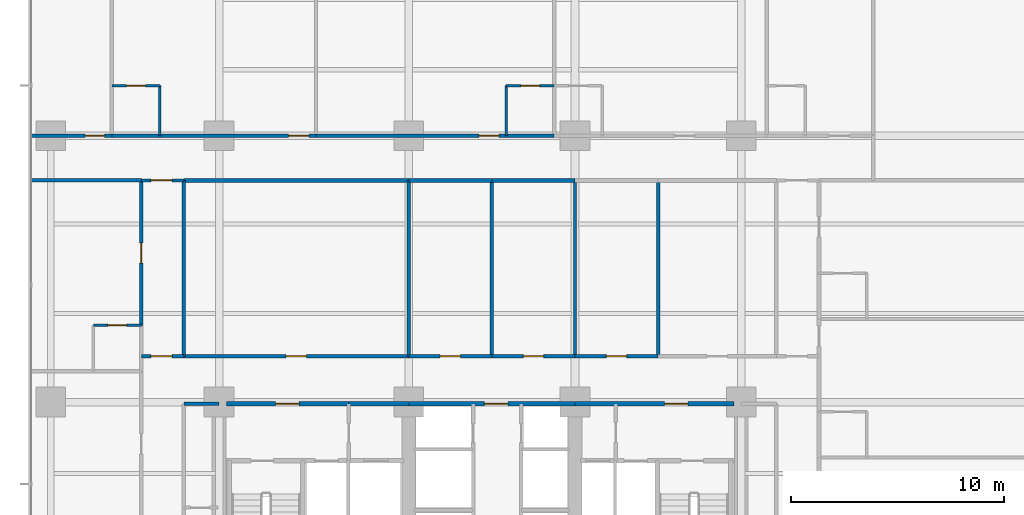
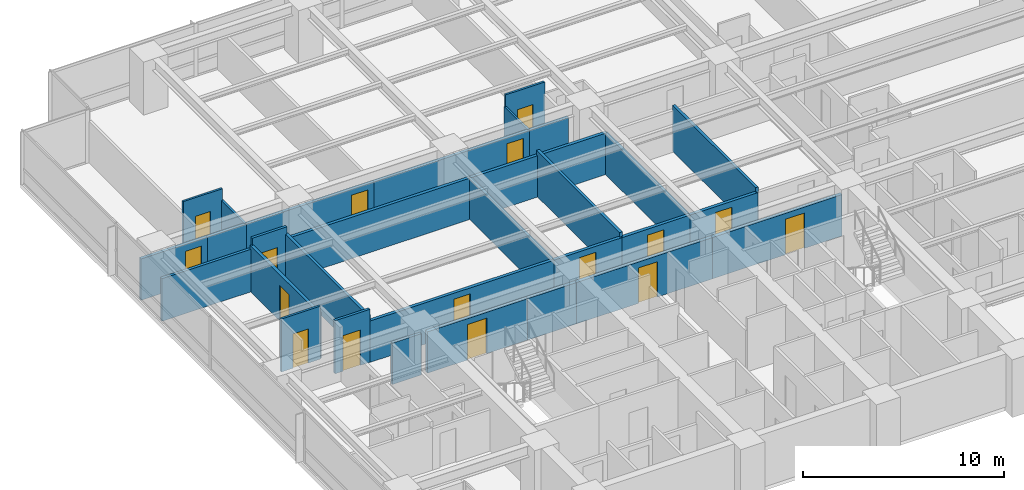
# One storey, part 9 of 16: 31 walls, 16 doors, 16 openings.
"""IFC4 building model written with IfcOpenShell, lengths in metres."""

from ifc_helpers import new_model, si_unit, direction, frame, frame_2d, origin, place, context, subcontext, project, spatial, rectangle, extrude, material, layer, layer_set, type_object, element, fill, save


model = new_model("IFC4")

# Units and contexts
model_context = context("Model", 3, precision=1e-05, world=origin(), true_north=direction((0.0, 1.0)))
body_context = subcontext(model_context, "Body", "Model", "MODEL_VIEW")
ifc_project = project(units=[si_unit("LENGTHUNIT", "METRE"), si_unit("AREAUNIT", "SQUARE_METRE"), si_unit("VOLUMEUNIT", "CUBIC_METRE"), si_unit("PLANEANGLEUNIT", "RADIAN"), si_unit("MASSUNIT", "GRAM", prefix="KILO")], contexts=[model_context])

# Site, building, storey
site_placement = place(None, origin())
site = spatial("IfcSite", under=ifc_project, at=site_placement, CompositionType="ELEMENT")
building_placement = place(site_placement, origin())
building = spatial("IfcBuilding", under=site, at=building_placement, Name="Qalmaran Belvedere Hotel", CompositionType="ELEMENT")
storey_placement = place(building_placement, frame((0.0, 0.0, 50.89990234375)))
storey = spatial("IfcBuildingStorey", under=building, at=storey_placement, Name="L12", CompositionType="ELEMENT", Elevation=50.89990234375)

# Wall, opening, door
ifc_material_1 = material(Name="Moisture-Resistant Gypsum")
ifc_layer_1 = layer(ifc_material_1, 0.1201171875, Name="Moisture-Resistant Gypsum")
ifc_layer_set_1 = layer_set([ifc_layer_1], Name="Moisture-Resistant Gypsum")
wall_type_1 = type_object("IfcWallType", Name="WL-INT-120-BATH", PredefinedType="PARTITIONING", material=ifc_layer_set_1)
wall_1_placement = place(storey_placement, frame((15.27001953125, 35.35009765625, 0.0), z_axis=(0.0, 0.0, 1.0), x_axis=(1.0, 0.0, 0.0)))
wall_1 = element("IfcWall", 1, at=wall_1_placement, inside=storey, type_object=wall_type_1, Name="L12 Partition WL-L12-NBN00", PredefinedType="PARTITIONING", context=body_context, shape_type="SweptSolid", body=[
    extrude(rectangle(XDim=2.25, YDim=0.1201171875, at=frame_2d((1.125, 0.0))), origin(), (0.0, 0.0, 1.0), 3.22021484375),
])
opening_1_placement = place(wall_1_placement, frame((1.56494140625, 0.0, 0.0), z_axis=(0.0, 0.0, 1.0), x_axis=(-1.0, 0.0, 0.0)))
opening_1 = element("IfcOpeningElement", 2, at=opening_1_placement, cuts=wall_1, Name="Opening D-BATH", PredefinedType="OPENING", context=body_context, shape_type="SweptSolid", body=[
    extrude(rectangle(XDim=0.8798828125, YDim=2.080078125, at=frame_2d((0.43994140625, 1.0400390625))), frame((0.0, 0.070068359375, 0.0), z_axis=(0.0, -1.0, 0.0), x_axis=(1.0, 0.0, 0.0)), (0.0, 0.0, 1.0), 0.14013671875),
])
ifc_material_2 = material(Name="Engineered Oak Veneer")
door_type_1 = type_object("IfcDoorType", Name="DR-INT-BATH-880X2080", OperationType="NOTDEFINED", PredefinedType="DOOR", material=ifc_material_2)
door_1_placement = place(opening_1_placement, origin())
door_1 = element("IfcDoor", 3, at=door_1_placement, inside=storey, type_object=door_type_1, Name="L12 Ensuite Bathroom Door N01", OperationType="SINGLE_SWING_LEFT", OverallHeight=2.080078125, OverallWidth=0.8798828125, PredefinedType="DOOR", context=body_context, shape_type="SweptSolid", body=[
    extrude(rectangle(XDim=0.8798828125, YDim=2.080078125, at=frame_2d((0.43994140625, 1.0400390625))), frame((0.0, 0.02490234375, 0.0), z_axis=(0.0, -1.0, 0.0), x_axis=(1.0, 0.0, 0.0)), (0.0, 0.0, 1.0), 0.050048828125),
])
fill(opening_1, door_1)

# Wall
wall_2_placement = place(storey_placement, frame((17.52001953125, 33.0, 0.0), z_axis=(0.0, 0.0, 1.0), x_axis=(0.0, 1.0, 0.0)))
element("IfcWall", 4, at=wall_2_placement, inside=storey, type_object=wall_type_1, Name="L12 Partition WL-L12-NBS00", PredefinedType="PARTITIONING", context=body_context, shape_type="SweptSolid", body=[
    extrude(rectangle(XDim=2.35009765625, YDim=0.1201171875, at=frame_2d((1.175048828125, 0.0))), origin(), (0.0, 0.0, 1.0), 2.510009765625),
])

# Wall, opening, door
wall_3_placement = place(storey_placement, frame((33.773193359375, 35.35009765625, 0.0), z_axis=(0.0, 0.0, 1.0), x_axis=(1.0, 0.0, 0.0)))
wall_3 = element("IfcWall", 5, at=wall_3_placement, inside=storey, type_object=wall_type_1, Name="L12 Partition WL-L12-NBN01", PredefinedType="PARTITIONING", context=body_context, shape_type="SweptSolid", body=[
    extrude(rectangle(XDim=2.25, YDim=0.1201171875, at=frame_2d((1.125, 0.0))), origin(), (0.0, 0.0, 1.0), 3.22021484375),
])
opening_2_placement = place(wall_3_placement, frame((1.56494140625, 0.0, 0.0), z_axis=(0.0, 0.0, 1.0), x_axis=(-1.0, 0.0, 0.0)))
opening_2 = element("IfcOpeningElement", 6, at=opening_2_placement, cuts=wall_3, Name="Opening D-BATH", PredefinedType="OPENING", context=body_context, shape_type="SweptSolid", body=[
    extrude(rectangle(XDim=0.8798828125, YDim=2.080078125, at=frame_2d((0.43994140625, 1.0400390625))), frame((0.0, 0.070068359375, 0.0), z_axis=(0.0, -1.0, 0.0), x_axis=(1.0, 0.0, 0.0)), (0.0, 0.0, 1.0), 0.14013671875),
])
door_2_placement = place(opening_2_placement, origin())
door_2 = element("IfcDoor", 7, at=door_2_placement, inside=storey, type_object=door_type_1, Name="L12 Ensuite Bathroom Door N02", OperationType="SINGLE_SWING_LEFT", OverallHeight=2.080078125, OverallWidth=0.8798828125, PredefinedType="DOOR", context=body_context, shape_type="SweptSolid", body=[
    extrude(rectangle(XDim=0.8798828125, YDim=2.080078125, at=frame_2d((0.43994140625, 1.0400390625))), frame((0.0, 0.02490234375, 0.0), z_axis=(0.0, -1.0, 0.0), x_axis=(1.0, 0.0, 0.0)), (0.0, 0.0, 1.0), 0.050048828125),
])
fill(opening_2, door_2)

# Wall
wall_4_placement = place(storey_placement, frame((33.773193359375, 33.0, 0.0), z_axis=(0.0, 0.0, 1.0), x_axis=(0.0, 1.0, 0.0)))
element("IfcWall", 8, at=wall_4_placement, inside=storey, type_object=wall_type_1, Name="L12 Partition WL-L12-NBS01", PredefinedType="PARTITIONING", context=body_context, shape_type="SweptSolid", body=[
    extrude(rectangle(XDim=2.35009765625, YDim=0.1201171875, at=frame_2d((1.175048828125, 0.0))), origin(), (0.0, 0.0, 1.0), 2.510009765625),
])

# Wall, opening, door
wall_5_placement = place(storey_placement, frame((14.39990234375, 24.10009765625, 0.0), z_axis=(0.0, 0.0, 1.0), x_axis=(1.0, 0.0, 0.0)))
wall_5 = element("IfcWall", 9, at=wall_5_placement, inside=storey, type_object=wall_type_1, Name="L12 Partition WL-L12-WBN01", PredefinedType="PARTITIONING", context=body_context, shape_type="SweptSolid", body=[
    extrude(rectangle(XDim=2.25, YDim=0.1201171875, at=frame_2d((1.125, 0.0))), origin(), (0.0, 0.0, 1.0), 3.22021484375),
])
opening_3_placement = place(wall_5_placement, frame((1.56494140625, 0.0, 0.0), z_axis=(0.0, 0.0, 1.0), x_axis=(-1.0, 0.0, 0.0)))
opening_3 = element("IfcOpeningElement", 10, at=opening_3_placement, cuts=wall_5, Name="Opening D-BATH", PredefinedType="OPENING", context=body_context, shape_type="SweptSolid", body=[
    extrude(rectangle(XDim=0.8798828125, YDim=2.080078125, at=frame_2d((0.43994140625, 1.0400390625))), frame((0.0, 0.070068359375, 0.0), z_axis=(0.0, -1.0, 0.0), x_axis=(1.0, 0.0, 0.0)), (0.0, 0.0, 1.0), 0.14013671875),
])
door_3_placement = place(opening_3_placement, origin())
door_3 = element("IfcDoor", 11, at=door_3_placement, inside=storey, type_object=door_type_1, Name="L12 W Ensuite Door 02", OperationType="SINGLE_SWING_LEFT", OverallHeight=2.080078125, OverallWidth=0.8798828125, PredefinedType="DOOR", context=body_context, shape_type="SweptSolid", body=[
    extrude(rectangle(XDim=0.8798828125, YDim=2.080078125, at=frame_2d((0.43994140625, 1.0400390625))), frame((0.0, 0.02490234375, 0.0), z_axis=(0.0, -1.0, 0.0), x_axis=(1.0, 0.0, 0.0)), (0.0, 0.0, 1.0), 0.050048828125),
])
fill(opening_3, door_3)

ifc_material_3 = material(Name="Gypsum Stud Partition")
ifc_layer_2 = layer(ifc_material_3, 0.14990234375, Name="Gypsum Stud Partition")
ifc_layer_set_2 = layer_set([ifc_layer_2], Name="Gypsum Stud Partition")
wall_type_2 = type_object("IfcWallType", Name="WL-INT-150-EI60", PredefinedType="PARTITIONING", material=ifc_layer_set_2)
wall_6_placement = place(storey_placement, frame((16.64990234375, 22.64990234375, 0.0), z_axis=(0.0, 0.0, 1.0), x_axis=(1.0, 0.0, 0.0)))
wall_6 = element("IfcWall", 12, at=wall_6_placement, inside=storey, type_object=wall_type_2, Name="L12 Partition WL-L12-XCW1", PredefinedType="PARTITIONING", context=body_context, shape_type="SweptSolid", body=[
    extrude(rectangle(XDim=2.0, YDim=0.14990234375, at=frame_2d((1.0, 0.0))), origin(), (0.0, 0.0, 1.0), 3.22021484375),
])
opening_4_placement = place(wall_6_placement, frame((0.449951171875, 0.0, 0.0)))
opening_4 = element("IfcOpeningElement", 13, at=opening_4_placement, cuts=wall_6, Name="Opening FD90B", PredefinedType="OPENING", context=body_context, shape_type="SweptSolid", body=[
    extrude(rectangle(XDim=1.0, YDim=2.14990234375, at=frame_2d((0.5, 1.074951171875))), frame((0.0, 0.0849609375, 0.0), z_axis=(0.0, -1.0, 0.0), x_axis=(1.0, 0.0, 0.0)), (0.0, 0.0, 1.0), 0.169921875),
])
ifc_material_4 = material(Name="Steel S355JR", Category="steel")
door_type_2 = type_object("IfcDoorType", Name="DR-FD90B-1000X2150", OperationType="NOTDEFINED", PredefinedType="DOOR", material=ifc_material_4)
door_4_placement = place(opening_4_placement, origin())
door_4 = element("IfcDoor", 14, at=door_4_placement, inside=storey, type_object=door_type_2, Name="L12 West Corridor Smoke Door S", OperationType="SINGLE_SWING_RIGHT", OverallHeight=2.14990234375, OverallWidth=1.0, PredefinedType="DOOR", context=body_context, shape_type="SweptSolid", body=[
    extrude(rectangle(XDim=1.0, YDim=2.14990234375, at=frame_2d((0.5, 1.074951171875))), frame((0.0, 0.02490234375, 0.0), z_axis=(0.0, -1.0, 0.0), x_axis=(1.0, 0.0, 0.0)), (0.0, 0.0, 1.0), 0.050048828125),
])
fill(opening_4, door_4)

wall_7_placement = place(storey_placement, frame((16.64990234375, 30.89990234375, 0.0), z_axis=(0.0, 0.0, 1.0), x_axis=(1.0, 0.0, 0.0)))
wall_7 = element("IfcWall", 15, at=wall_7_placement, inside=storey, type_object=wall_type_2, Name="L12 Partition WL-L12-XCW2", PredefinedType="PARTITIONING", context=body_context, shape_type="SweptSolid", body=[
    extrude(rectangle(XDim=2.0, YDim=0.14990234375, at=frame_2d((1.0, 0.0))), origin(), (0.0, 0.0, 1.0), 3.22021484375),
])
opening_5_placement = place(wall_7_placement, frame((0.449951171875, 0.0, 0.0)))
opening_5 = element("IfcOpeningElement", 16, at=opening_5_placement, cuts=wall_7, Name="Opening FD90B", PredefinedType="OPENING", context=body_context, shape_type="SweptSolid", body=[
    extrude(rectangle(XDim=1.0, YDim=2.14990234375, at=frame_2d((0.5, 1.074951171875))), frame((0.0, 0.0849609375, 0.0), z_axis=(0.0, -1.0, 0.0), x_axis=(1.0, 0.0, 0.0)), (0.0, 0.0, 1.0), 0.169921875),
])
door_5_placement = place(opening_5_placement, origin())
door_5 = element("IfcDoor", 17, at=door_5_placement, inside=storey, type_object=door_type_2, Name="L12 West Corridor Smoke Door N", OperationType="SINGLE_SWING_LEFT", OverallHeight=2.14990234375, OverallWidth=1.0, PredefinedType="DOOR", context=body_context, shape_type="SweptSolid", body=[
    extrude(rectangle(XDim=1.0, YDim=2.14990234375, at=frame_2d((0.5, 1.074951171875))), frame((0.0, 0.02490234375, 0.0), z_axis=(0.0, -1.0, 0.0), x_axis=(1.0, 0.0, 0.0)), (0.0, 0.0, 1.0), 0.050048828125),
])
fill(opening_5, door_5)

# Walls
ifc_layer_3 = layer(ifc_material_3, 0.159912109375, Name="Gypsum Stud Partition")
ifc_layer_set_3 = layer_set([ifc_layer_3], Name="Gypsum Stud Partition")
wall_type_3 = type_object("IfcWallType", Name="WL-INT-160-EI60", PredefinedType="PARTITIONING", material=ifc_layer_set_3)
wall_8_placement = place(storey_placement, frame((18.64990234375, 20.419921875, 0.0), z_axis=(0.0, 0.0, 1.0), x_axis=(1.0, 0.0, 0.0)))
element("IfcWall", 18, at=wall_8_placement, inside=storey, type_object=wall_type_3, Name="L12 Partition WL-L12-WCLN", PredefinedType="PARTITIONING", context=body_context, shape_type="SweptSolid", body=[
    extrude(rectangle(XDim=1.650146484375, YDim=0.159912109375, at=frame_2d((0.8251953125, 0.0))), origin(), (0.0, 0.0, 1.0), 2.510009765625),
])
wall_9_placement = place(storey_placement, frame((18.64990234375, 22.64990234375, 0.0), z_axis=(0.0, 0.0, 1.0), x_axis=(0.0, 1.0, 0.0)))
element("IfcWall", 19, at=wall_9_placement, inside=storey, type_object=wall_type_3, Name="L12 Partition WL-L12-MIDVL", PredefinedType="PARTITIONING", context=body_context, shape_type="SweptSolid", body=[
    extrude(rectangle(XDim=8.25, YDim=0.159912109375, at=frame_2d((4.125, 0.0))), origin(), (0.0, 0.0, 1.0), 2.7880859375),
])
wall_10_placement = place(storey_placement, frame((29.199951171875, 22.64990234375, 0.0), z_axis=(0.0, 0.0, 1.0), x_axis=(0.0, 1.0, 0.0)))
element("IfcWall", 20, at=wall_10_placement, inside=storey, type_object=wall_type_3, Name="L12 Partition WL-L12-MIDVR1", PredefinedType="PARTITIONING", context=body_context, shape_type="SweptSolid", body=[
    extrude(rectangle(XDim=8.25, YDim=0.159912109375, at=frame_2d((4.125, 0.0))), origin(), (0.0, 0.0, 1.0), 2.510009765625),
])
wall_11_placement = place(storey_placement, frame((33.10009765625, 22.64990234375, 0.0), z_axis=(0.0, 0.0, 1.0), x_axis=(0.0, 1.0, 0.0)))
element("IfcWall", 21, at=wall_11_placement, inside=storey, type_object=wall_type_3, Name="L12 Partition WL-L12-MIDVR2", PredefinedType="PARTITIONING", context=body_context, shape_type="SweptSolid", body=[
    extrude(rectangle(XDim=8.25, YDim=0.159912109375, at=frame_2d((4.125, 0.0))), origin(), (0.0, 0.0, 1.0), 2.7880859375),
])
wall_12_placement = place(storey_placement, frame((37.0, 22.64990234375, 0.0), z_axis=(0.0, 0.0, 1.0), x_axis=(0.0, 1.0, 0.0)))
element("IfcWall", 22, at=wall_12_placement, inside=storey, type_object=wall_type_3, Name="L12 Partition WL-L12-MIDVR3", PredefinedType="PARTITIONING", context=body_context, shape_type="SweptSolid", body=[
    extrude(rectangle(XDim=8.25, YDim=0.159912109375, at=frame_2d((4.125, 0.0))), origin(), (0.0, 0.0, 1.0), 2.510009765625),
])
wall_13_placement = place(storey_placement, frame((40.89990234375, 22.64990234375, 0.0), z_axis=(0.0, 0.0, 1.0), x_axis=(0.0, 1.0, 0.0)))
element("IfcWall", 23, at=wall_13_placement, inside=storey, type_object=wall_type_3, Name="L12 Partition WL-L12-MIDVR4", PredefinedType="PARTITIONING", context=body_context, shape_type="SweptSolid", body=[
    extrude(rectangle(XDim=8.25, YDim=0.159912109375, at=frame_2d((4.125, 0.0))), origin(), (0.0, 0.0, 1.0), 2.7880859375),
])
wall_14_placement = place(storey_placement, frame((11.469970703125, 30.89990234375, 0.0), z_axis=(0.0, 0.0, 1.0), x_axis=(1.0, 0.0, 0.0)))
element("IfcWall", 24, at=wall_14_placement, inside=storey, type_object=wall_type_3, Name="L12 Partition WL-L12-WU01", PredefinedType="PARTITIONING", context=body_context, shape_type="SweptSolid", body=[
    extrude(rectangle(XDim=5.179931640625, YDim=0.159912109375, at=frame_2d((2.58984375, 0.0))), origin(), (0.0, 0.0, 1.0), 2.5830078125),
])

# Wall, opening, door
ifc_layer_4 = layer(ifc_material_3, 0.179931640625, Name="Gypsum Stud Partition")
ifc_layer_set_4 = layer_set([ifc_layer_4], Name="Gypsum Stud Partition")
wall_type_4 = type_object("IfcWallType", Name="WL-INT-180-EI60", PredefinedType="PARTITIONING", material=ifc_layer_set_4)
wall_15_placement = place(storey_placement, frame((18.64990234375, 22.64990234375, 0.0), z_axis=(0.0, 0.0, 1.0), x_axis=(1.0, 0.0, 0.0)))
wall_15 = element("IfcWall", 25, at=wall_15_placement, inside=storey, type_object=wall_type_4, Name="L12 Partition WL-L12-MIDD1", PredefinedType="PARTITIONING", context=body_context, shape_type="SweptSolid", body=[
    extrude(rectangle(XDim=10.550048828125, YDim=0.179931640625, at=frame_2d((5.27490234375, 0.0))), origin(), (0.0, 0.0, 1.0), 2.510009765625),
])
opening_6_placement = place(wall_15_placement, frame((4.800048828125, 0.0, 0.0)))
opening_6 = element("IfcOpeningElement", 26, at=opening_6_placement, cuts=wall_15, Name="Opening FD60", PredefinedType="OPENING", context=body_context, shape_type="SweptSolid", body=[
    extrude(rectangle(XDim=0.949951171875, YDim=2.14990234375, at=frame_2d((0.47509765625, 1.074951171875))), frame((0.0, 0.10009765625, 0.0), z_axis=(0.0, -1.0, 0.0), x_axis=(1.0, 0.0, 0.0)), (0.0, 0.0, 1.0), 0.199951171875),
])
door_type_3 = type_object("IfcDoorType", Name="DR-FD60-950X2150", OperationType="NOTDEFINED", PredefinedType="DOOR", material=ifc_material_2)
door_6_placement = place(opening_6_placement, origin())
door_6 = element("IfcDoor", 27, at=door_6_placement, inside=storey, type_object=door_type_3, Name="L12 Housekeeping and Linen Room Door", OperationType="SINGLE_SWING_RIGHT", OverallHeight=2.14990234375, OverallWidth=0.949951171875, PredefinedType="DOOR", context=body_context, shape_type="SweptSolid", body=[
    extrude(rectangle(XDim=0.949951171875, YDim=2.14990234375, at=frame_2d((0.47509765625, 1.074951171875))), frame((0.0, 0.02490234375, 0.0), z_axis=(0.0, -1.0, 0.0), x_axis=(1.0, 0.0, 0.0)), (0.0, 0.0, 1.0), 0.050048828125),
])
fill(opening_6, door_6)

# Wall
wall_16_placement = place(storey_placement, frame((18.64990234375, 30.89990234375, 0.0), z_axis=(0.0, 0.0, 1.0), x_axis=(1.0, 0.0, 0.0)))
element("IfcWall", 28, at=wall_16_placement, inside=storey, type_object=wall_type_4, Name="L12 Partition WL-L12-MIDO1", PredefinedType="PARTITIONING", context=body_context, shape_type="SweptSolid", body=[
    extrude(rectangle(XDim=10.550048828125, YDim=0.179931640625, at=frame_2d((5.27490234375, 0.0))), origin(), (0.0, 0.0, 1.0), 2.510009765625),
])

# Wall, opening, door
wall_17_placement = place(storey_placement, frame((29.199951171875, 22.64990234375, 0.0), z_axis=(0.0, 0.0, 1.0), x_axis=(1.0, 0.0, 0.0)))
wall_17 = element("IfcWall", 29, at=wall_17_placement, inside=storey, type_object=wall_type_4, Name="L12 Partition WL-L12-MIDD2", PredefinedType="PARTITIONING", context=body_context, shape_type="SweptSolid", body=[
    extrude(rectangle(XDim=3.900146484375, YDim=0.179931640625, at=frame_2d((1.9501953125, 0.0))), origin(), (0.0, 0.0, 1.0), 2.510009765625),
])
opening_7_placement = place(wall_17_placement, frame((1.47509765625, 0.0, 0.0)))
opening_7 = element("IfcOpeningElement", 30, at=opening_7_placement, cuts=wall_17, Name="Opening FD60", PredefinedType="OPENING", context=body_context, shape_type="SweptSolid", body=[
    extrude(rectangle(XDim=0.949951171875, YDim=2.14990234375, at=frame_2d((0.47509765625, 1.074951171875))), frame((0.0, 0.10009765625, 0.0), z_axis=(0.0, -1.0, 0.0), x_axis=(1.0, 0.0, 0.0)), (0.0, 0.0, 1.0), 0.199951171875),
])
door_7_placement = place(opening_7_placement, origin())
door_7 = element("IfcDoor", 31, at=door_7_placement, inside=storey, type_object=door_type_3, Name="L12 Valet Closet Door", OperationType="SINGLE_SWING_LEFT", OverallHeight=2.14990234375, OverallWidth=0.949951171875, PredefinedType="DOOR", context=body_context, shape_type="SweptSolid", body=[
    extrude(rectangle(XDim=0.949951171875, YDim=2.14990234375, at=frame_2d((0.47509765625, 1.074951171875))), frame((0.0, 0.02490234375, 0.0), z_axis=(0.0, -1.0, 0.0), x_axis=(1.0, 0.0, 0.0)), (0.0, 0.0, 1.0), 0.050048828125),
])
fill(opening_7, door_7)

# Wall
wall_18_placement = place(storey_placement, frame((29.199951171875, 30.89990234375, 0.0), z_axis=(0.0, 0.0, 1.0), x_axis=(1.0, 0.0, 0.0)))
element("IfcWall", 32, at=wall_18_placement, inside=storey, type_object=wall_type_4, Name="L12 Partition WL-L12-MIDO2", PredefinedType="PARTITIONING", context=body_context, shape_type="SweptSolid", body=[
    extrude(rectangle(XDim=3.900146484375, YDim=0.179931640625, at=frame_2d((1.9501953125, 0.0))), origin(), (0.0, 0.0, 1.0), 2.510009765625),
])

# Wall, opening, door
wall_19_placement = place(storey_placement, frame((33.10009765625, 22.64990234375, 0.0), z_axis=(0.0, 0.0, 1.0), x_axis=(1.0, 0.0, 0.0)))
wall_19 = element("IfcWall", 33, at=wall_19_placement, inside=storey, type_object=wall_type_4, Name="L12 Partition WL-L12-MIDD3", PredefinedType="PARTITIONING", context=body_context, shape_type="SweptSolid", body=[
    extrude(rectangle(XDim=3.89990234375, YDim=0.179931640625, at=frame_2d((1.949951171875, 0.0))), origin(), (0.0, 0.0, 1.0), 2.510009765625),
])
opening_8_placement = place(wall_19_placement, frame((1.47509765625, 0.0, 0.0)))
opening_8 = element("IfcOpeningElement", 34, at=opening_8_placement, cuts=wall_19, Name="Opening FD60", PredefinedType="OPENING", context=body_context, shape_type="SweptSolid", body=[
    extrude(rectangle(XDim=0.949951171875, YDim=2.14990234375, at=frame_2d((0.47509765625, 1.074951171875))), frame((0.0, 0.10009765625, 0.0), z_axis=(0.0, -1.0, 0.0), x_axis=(1.0, 0.0, 0.0)), (0.0, 0.0, 1.0), 0.199951171875),
])
door_8_placement = place(opening_8_placement, origin())
door_8 = element("IfcDoor", 35, at=door_8_placement, inside=storey, type_object=door_type_3, Name="L12 Luggage Store Door", OperationType="SINGLE_SWING_RIGHT", OverallHeight=2.14990234375, OverallWidth=0.949951171875, PredefinedType="DOOR", context=body_context, shape_type="SweptSolid", body=[
    extrude(rectangle(XDim=0.949951171875, YDim=2.14990234375, at=frame_2d((0.47509765625, 1.074951171875))), frame((0.0, 0.02490234375, 0.0), z_axis=(0.0, -1.0, 0.0), x_axis=(1.0, 0.0, 0.0)), (0.0, 0.0, 1.0), 0.050048828125),
])
fill(opening_8, door_8)

# Wall
wall_20_placement = place(storey_placement, frame((33.10009765625, 30.89990234375, 0.0), z_axis=(0.0, 0.0, 1.0), x_axis=(1.0, 0.0, 0.0)))
element("IfcWall", 36, at=wall_20_placement, inside=storey, type_object=wall_type_4, Name="L12 Partition WL-L12-MIDO3", PredefinedType="PARTITIONING", context=body_context, shape_type="SweptSolid", body=[
    extrude(rectangle(XDim=3.89990234375, YDim=0.179931640625, at=frame_2d((1.949951171875, 0.0))), origin(), (0.0, 0.0, 1.0), 2.510009765625),
])

# Wall, opening, door
wall_21_placement = place(storey_placement, frame((37.0, 22.64990234375, 0.0), z_axis=(0.0, 0.0, 1.0), x_axis=(1.0, 0.0, 0.0)))
wall_21 = element("IfcWall", 37, at=wall_21_placement, inside=storey, type_object=wall_type_4, Name="L12 Partition WL-L12-MIDD4", PredefinedType="PARTITIONING", context=body_context, shape_type="SweptSolid", body=[
    extrude(rectangle(XDim=3.89990234375, YDim=0.179931640625, at=frame_2d((1.949951171875, 0.0))), origin(), (0.0, 0.0, 1.0), 2.510009765625),
])
opening_9_placement = place(wall_21_placement, frame((1.47509765625, 0.0, 0.0)))
opening_9 = element("IfcOpeningElement", 38, at=opening_9_placement, cuts=wall_21, Name="Opening FD60", PredefinedType="OPENING", context=body_context, shape_type="SweptSolid", body=[
    extrude(rectangle(XDim=0.949951171875, YDim=2.14990234375, at=frame_2d((0.47509765625, 1.074951171875))), frame((0.0, 0.10009765625, 0.0), z_axis=(0.0, -1.0, 0.0), x_axis=(1.0, 0.0, 0.0)), (0.0, 0.0, 1.0), 0.199951171875),
])
door_9_placement = place(opening_9_placement, origin())
door_9 = element("IfcDoor", 39, at=door_9_placement, inside=storey, type_object=door_type_3, Name="L12 Linen Store Door", OperationType="SINGLE_SWING_LEFT", OverallHeight=2.14990234375, OverallWidth=0.949951171875, PredefinedType="DOOR", context=body_context, shape_type="SweptSolid", body=[
    extrude(rectangle(XDim=0.949951171875, YDim=2.14990234375, at=frame_2d((0.47509765625, 1.074951171875))), frame((0.0, 0.02490234375, 0.0), z_axis=(0.0, -1.0, 0.0), x_axis=(1.0, 0.0, 0.0)), (0.0, 0.0, 1.0), 0.050048828125),
])
fill(opening_9, door_9)

# Wall
wall_22_placement = place(storey_placement, frame((15.27001953125, 33.0, 0.0), z_axis=(0.0, 0.0, 1.0), x_axis=(1.0, 0.0, 0.0)))
element("IfcWall", 40, at=wall_22_placement, inside=storey, type_object=wall_type_4, Name="L12 Partition WL-L12-NBC00", PredefinedType="PARTITIONING", context=body_context, shape_type="SweptSolid", body=[
    extrude(rectangle(XDim=2.25, YDim=0.179931640625, at=frame_2d((1.125, 0.0))), origin(), (0.0, 0.0, 1.0), 2.510009765625),
])

# Wall, opening, door
wall_23_placement = place(storey_placement, frame((17.52001953125, 33.0, 0.0), z_axis=(0.0, 0.0, 1.0), x_axis=(1.0, 0.0, 0.0)))
wall_23 = element("IfcWall", 41, at=wall_23_placement, inside=storey, type_object=wall_type_4, Name="L12 Partition WL-L12-NEC00", PredefinedType="PARTITIONING", context=body_context, shape_type="SweptSolid", body=[
    extrude(rectangle(XDim=7.328369140625, YDim=0.179931640625, at=frame_2d((3.6640625, 0.0))), origin(), (0.0, 0.0, 1.0), 2.510009765625),
])
opening_10_placement = place(wall_23_placement, frame((6.03955078125, 0.0, 0.0)))
opening_10 = element("IfcOpeningElement", 42, at=opening_10_placement, cuts=wall_23, Name="Opening FD60", PredefinedType="OPENING", context=body_context, shape_type="SweptSolid", body=[
    extrude(rectangle(XDim=0.949951171875, YDim=2.14990234375, at=frame_2d((0.47509765625, 1.074951171875))), frame((0.0, 0.10009765625, 0.0), z_axis=(0.0, -1.0, 0.0), x_axis=(1.0, 0.0, 0.0)), (0.0, 0.0, 1.0), 0.199951171875),
])
door_10_placement = place(opening_10_placement, origin())
door_10 = element("IfcDoor", 43, at=door_10_placement, inside=storey, type_object=door_type_3, Name="L12 Guest Entrance Door N01", OperationType="SINGLE_SWING_RIGHT", OverallHeight=2.14990234375, OverallWidth=0.949951171875, PredefinedType="DOOR", context=body_context, shape_type="SweptSolid", body=[
    extrude(rectangle(XDim=0.949951171875, YDim=2.14990234375, at=frame_2d((0.47509765625, 1.074951171875))), frame((0.0, 0.02490234375, 0.0), z_axis=(0.0, -1.0, 0.0), x_axis=(1.0, 0.0, 0.0)), (0.0, 0.0, 1.0), 0.050048828125),
])
fill(opening_10, door_10)

# Wall
wall_24_placement = place(storey_placement, frame((33.773193359375, 33.0, 0.0), z_axis=(0.0, 0.0, 1.0), x_axis=(1.0, 0.0, 0.0)))
element("IfcWall", 44, at=wall_24_placement, inside=storey, type_object=wall_type_4, Name="L12 Partition WL-L12-NBC01", PredefinedType="PARTITIONING", context=body_context, shape_type="SweptSolid", body=[
    extrude(rectangle(XDim=2.25, YDim=0.179931640625, at=frame_2d((1.125, 0.0))), origin(), (0.0, 0.0, 1.0), 2.510009765625),
])

# Wall, opening, door
wall_25_placement = place(storey_placement, frame((24.848388671875, 33.0, 0.0), z_axis=(0.0, 0.0, 1.0), x_axis=(1.0, 0.0, 0.0)))
wall_25 = element("IfcWall", 45, at=wall_25_placement, inside=storey, type_object=wall_type_4, Name="L12 Partition WL-L12-NEC01", PredefinedType="PARTITIONING", context=body_context, shape_type="SweptSolid", body=[
    extrude(rectangle(XDim=8.9248046875, YDim=0.179931640625, at=frame_2d((4.46240234375, 0.0))), origin(), (0.0, 0.0, 1.0), 2.510009765625),
])
opening_11_placement = place(wall_25_placement, frame((7.63525390625, 0.0, 0.0)))
opening_11 = element("IfcOpeningElement", 46, at=opening_11_placement, cuts=wall_25, Name="Opening FD60", PredefinedType="OPENING", context=body_context, shape_type="SweptSolid", body=[
    extrude(rectangle(XDim=0.949951171875, YDim=2.14990234375, at=frame_2d((0.47509765625, 1.074951171875))), frame((0.0, 0.10009765625, 0.0), z_axis=(0.0, -1.0, 0.0), x_axis=(1.0, 0.0, 0.0)), (0.0, 0.0, 1.0), 0.199951171875),
])
door_11_placement = place(opening_11_placement, origin())
door_11 = element("IfcDoor", 47, at=door_11_placement, inside=storey, type_object=door_type_3, Name="L12 Guest Entrance Door N02", OperationType="SINGLE_SWING_RIGHT", OverallHeight=2.14990234375, OverallWidth=0.949951171875, PredefinedType="DOOR", context=body_context, shape_type="SweptSolid", body=[
    extrude(rectangle(XDim=0.949951171875, YDim=2.14990234375, at=frame_2d((0.47509765625, 1.074951171875))), frame((0.0, 0.02490234375, 0.0), z_axis=(0.0, -1.0, 0.0), x_axis=(1.0, 0.0, 0.0)), (0.0, 0.0, 1.0), 0.050048828125),
])
fill(opening_11, door_11)

wall_26_placement = place(storey_placement, frame((16.64990234375, 24.10009765625, 0.0), z_axis=(0.0, 0.0, 1.0), x_axis=(0.0, 1.0, 0.0)))
wall_26 = element("IfcWall", 48, at=wall_26_placement, inside=storey, type_object=wall_type_4, Name="L12 Partition WL-L12-WEC01", PredefinedType="PARTITIONING", context=body_context, shape_type="SweptSolid", body=[
    extrude(rectangle(XDim=6.7998046875, YDim=0.179931640625, at=frame_2d((3.39990234375, 0.0))), origin(), (0.0, 0.0, 1.0), 2.7880859375),
])
opening_12_placement = place(wall_26_placement, frame((2.925048828125, 0.0, 0.0)))
opening_12 = element("IfcOpeningElement", 49, at=opening_12_placement, cuts=wall_26, Name="Opening FD60", PredefinedType="OPENING", context=body_context, shape_type="SweptSolid", body=[
    extrude(rectangle(XDim=0.949951171875, YDim=2.14990234375, at=frame_2d((0.47509765625, 1.074951171875))), frame((0.0, 0.10009765625, 0.0), z_axis=(0.0, -1.0, 0.0), x_axis=(1.0, 0.0, 0.0)), (0.0, 0.0, 1.0), 0.199951171875),
])
door_12_placement = place(opening_12_placement, origin())
door_12 = element("IfcDoor", 50, at=door_12_placement, inside=storey, type_object=door_type_3, Name="L12 W Wing Door 02", OperationType="SINGLE_SWING_RIGHT", OverallHeight=2.14990234375, OverallWidth=0.949951171875, PredefinedType="DOOR", context=body_context, shape_type="SweptSolid", body=[
    extrude(rectangle(XDim=0.949951171875, YDim=2.14990234375, at=frame_2d((0.47509765625, 1.074951171875))), frame((0.0, 0.02490234375, 0.0), z_axis=(0.0, -1.0, 0.0), x_axis=(1.0, 0.0, 0.0)), (0.0, 0.0, 1.0), 0.050048828125),
])
fill(opening_12, door_12)

wall_27_placement = place(storey_placement, frame((11.469970703125, 33.0, 0.0), z_axis=(0.0, 0.0, 1.0), x_axis=(1.0, 0.0, 0.0)))
wall_27 = element("IfcWall", 51, at=wall_27_placement, inside=storey, type_object=wall_type_4, Name="L12 Partition WL-L12-NWSD", PredefinedType="PARTITIONING", context=body_context, shape_type="SweptSolid", body=[
    extrude(rectangle(XDim=3.800048828125, YDim=0.179931640625, at=frame_2d((1.89990234375, 0.0))), origin(), (0.0, 0.0, 1.0), 2.510009765625),
])
opening_13_placement = place(wall_27_placement, frame((2.543701171875, 0.0, 0.0)))
opening_13 = element("IfcOpeningElement", 52, at=opening_13_placement, cuts=wall_27, Name="Opening FD60S1", PredefinedType="OPENING", context=body_context, shape_type="SweptSolid", body=[
    extrude(rectangle(XDim=0.919921875, YDim=2.080078125, at=frame_2d((0.4599609375, 1.0400390625))), frame((0.0, 0.10009765625, 0.0), z_axis=(0.0, -1.0, 0.0), x_axis=(1.0, 0.0, 0.0)), (0.0, 0.0, 1.0), 0.199951171875),
])
door_type_4 = type_object("IfcDoorType", Name="DR-FD60S-920X2080", OperationType="NOTDEFINED", PredefinedType="DOOR", material=ifc_material_2)
door_13_placement = place(opening_13_placement, origin())
door_13 = element("IfcDoor", 53, at=door_13_placement, inside=storey, type_object=door_type_4, Name="L12 NW Belvedere Study Door", OperationType="SINGLE_SWING_LEFT", OverallHeight=2.080078125, OverallWidth=0.919921875, PredefinedType="DOOR", context=body_context, shape_type="SweptSolid", body=[
    extrude(rectangle(XDim=0.919921875, YDim=2.080078125, at=frame_2d((0.4599609375, 1.0400390625))), frame((0.0, 0.02490234375, 0.0), z_axis=(0.0, -1.0, 0.0), x_axis=(1.0, 0.0, 0.0)), (0.0, 0.0, 1.0), 0.050048828125),
])
fill(opening_13, door_13)

ifc_material_5 = material(Name="Concrete C30/37 Blockwork", Category="masonry")
ifc_layer_5 = layer(ifc_material_5, 0.199951171875, Name="Concrete C30/37 Blockwork")
ifc_layer_set_5 = layer_set([ifc_layer_5], Name="Concrete C30/37 Blockwork")
wall_type_5 = type_object("IfcWallType", Name="WL-INT-200-EI120", PredefinedType="PARTITIONING", material=ifc_layer_set_5)
wall_28_placement = place(storey_placement, frame((20.64990234375, 20.419921875, 0.0), z_axis=(0.0, 0.0, 1.0), x_axis=(1.0, 0.0, 0.0)))
wall_28 = element("IfcWall", 54, at=wall_28_placement, inside=storey, type_object=wall_type_5, Name="L12 Partition WL-CN1A-L12", PredefinedType="PARTITIONING", context=body_context, shape_type="SweptSolid", body=[
    extrude(rectangle(XDim=5.72998046875, YDim=0.199951171875, at=frame_2d((2.864990234375, 0.0))), origin(), (0.0, 0.0, 1.0), 2.510009765625),
])
opening_14_placement = place(wall_28_placement, frame((2.300048828125, 0.0, 0.0)))
opening_14 = element("IfcOpeningElement", 55, at=opening_14_placement, cuts=wall_28, Name="Opening FD90", PredefinedType="OPENING", context=body_context, shape_type="SweptSolid", body=[
    extrude(rectangle(XDim=1.10009765625, YDim=2.14990234375, at=frame_2d((0.550048828125, 1.074951171875))), frame((0.0, 0.10986328125, 0.0), z_axis=(0.0, -1.0, 0.0), x_axis=(1.0, 0.0, 0.0)), (0.0, 0.0, 1.0), 0.219970703125),
])
door_type_5 = type_object("IfcDoorType", Name="DR-FD90-1100X2150", OperationType="NOTDEFINED", PredefinedType="DOOR", material=ifc_material_4)
door_14_placement = place(opening_14_placement, origin())
door_14 = element("IfcDoor", 56, at=door_14_placement, inside=storey, type_object=door_type_5, Name="L12 FF1 Lobby Corridor Door", OperationType="SINGLE_SWING_RIGHT", OverallHeight=2.14990234375, OverallWidth=1.10009765625, PredefinedType="DOOR", context=body_context, shape_type="SweptSolid", body=[
    extrude(rectangle(XDim=1.10009765625, YDim=2.14990234375, at=frame_2d((0.550048828125, 1.074951171875))), frame((0.0, 0.02490234375, 0.0), z_axis=(0.0, -1.0, 0.0), x_axis=(1.0, 0.0, 0.0)), (0.0, 0.0, 1.0), 0.050048828125),
])
fill(opening_14, door_14)

# Wall
wall_29_placement = place(storey_placement, frame((26.3798828125, 20.419921875, 0.0), z_axis=(0.0, 0.0, 1.0), x_axis=(1.0, 0.0, 0.0)))
element("IfcWall", 57, at=wall_29_placement, inside=storey, type_object=wall_type_5, Name="L12 Partition WL-CN1B-L12", PredefinedType="PARTITIONING", context=body_context, shape_type="SweptSolid", body=[
    extrude(rectangle(XDim=2.820068359375, YDim=0.199951171875, at=frame_2d((1.41015625, 0.0))), origin(), (0.0, 0.0, 1.0), 2.510009765625),
])

# Wall, opening, door
wall_30_placement = place(storey_placement, frame((29.199951171875, 20.419921875, 0.0), z_axis=(0.0, 0.0, 1.0), x_axis=(1.0, 0.0, 0.0)))
wall_30 = element("IfcWall", 58, at=wall_30_placement, inside=storey, type_object=wall_type_5, Name="L12 Partition WL-CN2-L12", PredefinedType="PARTITIONING", context=body_context, shape_type="SweptSolid", body=[
    extrude(rectangle(XDim=7.800048828125, YDim=0.199951171875, at=frame_2d((3.89990234375, 0.0))), origin(), (0.0, 0.0, 1.0), 2.510009765625),
])
opening_15_placement = place(wall_30_placement, frame((3.550048828125, 0.0, 0.0)))
opening_15 = element("IfcOpeningElement", 59, at=opening_15_placement, cuts=wall_30, Name="Opening FD90", PredefinedType="OPENING", context=body_context, shape_type="SweptSolid", body=[
    extrude(rectangle(XDim=1.10009765625, YDim=2.14990234375, at=frame_2d((0.550048828125, 1.074951171875))), frame((0.0, 0.10986328125, 0.0), z_axis=(0.0, -1.0, 0.0), x_axis=(1.0, 0.0, 0.0)), (0.0, 0.0, 1.0), 0.219970703125),
])
door_15_placement = place(opening_15_placement, origin())
door_15 = element("IfcDoor", 60, at=door_15_placement, inside=storey, type_object=door_type_5, Name="L12 Central Lift Lobby Door", OperationType="SINGLE_SWING_LEFT", OverallHeight=2.14990234375, OverallWidth=1.10009765625, PredefinedType="DOOR", context=body_context, shape_type="SweptSolid", body=[
    extrude(rectangle(XDim=1.10009765625, YDim=2.14990234375, at=frame_2d((0.550048828125, 1.074951171875))), frame((0.0, 0.02490234375, 0.0), z_axis=(0.0, -1.0, 0.0), x_axis=(1.0, 0.0, 0.0)), (0.0, 0.0, 1.0), 0.050048828125),
])
fill(opening_15, door_15)

wall_31_placement = place(storey_placement, frame((37.0, 20.419921875, 0.0), z_axis=(0.0, 0.0, 1.0), x_axis=(1.0, 0.0, 0.0)))
wall_31 = element("IfcWall", 61, at=wall_31_placement, inside=storey, type_object=wall_type_5, Name="L12 Partition WL-CN3-L12", PredefinedType="PARTITIONING", context=body_context, shape_type="SweptSolid", body=[
    extrude(rectangle(XDim=7.449951171875, YDim=0.199951171875, at=frame_2d((3.72509765625, 0.0))), origin(), (0.0, 0.0, 1.0), 2.510009765625),
])
opening_16_placement = place(wall_31_placement, frame((4.199951171875, 0.0, 0.0)))
opening_16 = element("IfcOpeningElement", 62, at=opening_16_placement, cuts=wall_31, Name="Opening FD90", PredefinedType="OPENING", context=body_context, shape_type="SweptSolid", body=[
    extrude(rectangle(XDim=1.10009765625, YDim=2.14990234375, at=frame_2d((0.550048828125, 1.074951171875))), frame((0.0, 0.10986328125, 0.0), z_axis=(0.0, -1.0, 0.0), x_axis=(1.0, 0.0, 0.0)), (0.0, 0.0, 1.0), 0.219970703125),
])
door_16_placement = place(opening_16_placement, origin())
door_16 = element("IfcDoor", 63, at=door_16_placement, inside=storey, type_object=door_type_5, Name="L12 FF2 Lobby Corridor Door", OperationType="SINGLE_SWING_RIGHT", OverallHeight=2.14990234375, OverallWidth=1.10009765625, PredefinedType="DOOR", context=body_context, shape_type="SweptSolid", body=[
    extrude(rectangle(XDim=1.10009765625, YDim=2.14990234375, at=frame_2d((0.550048828125, 1.074951171875))), frame((0.0, 0.02490234375, 0.0), z_axis=(0.0, -1.0, 0.0), x_axis=(1.0, 0.0, 0.0)), (0.0, 0.0, 1.0), 0.050048828125),
])
fill(opening_16, door_16)

save(model, "model.ifc")
